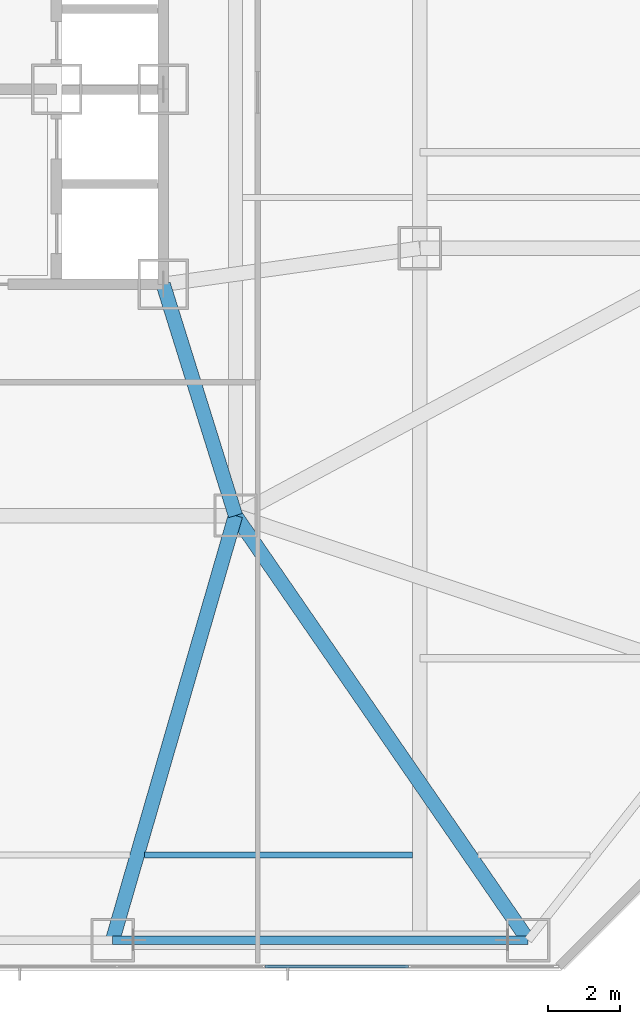
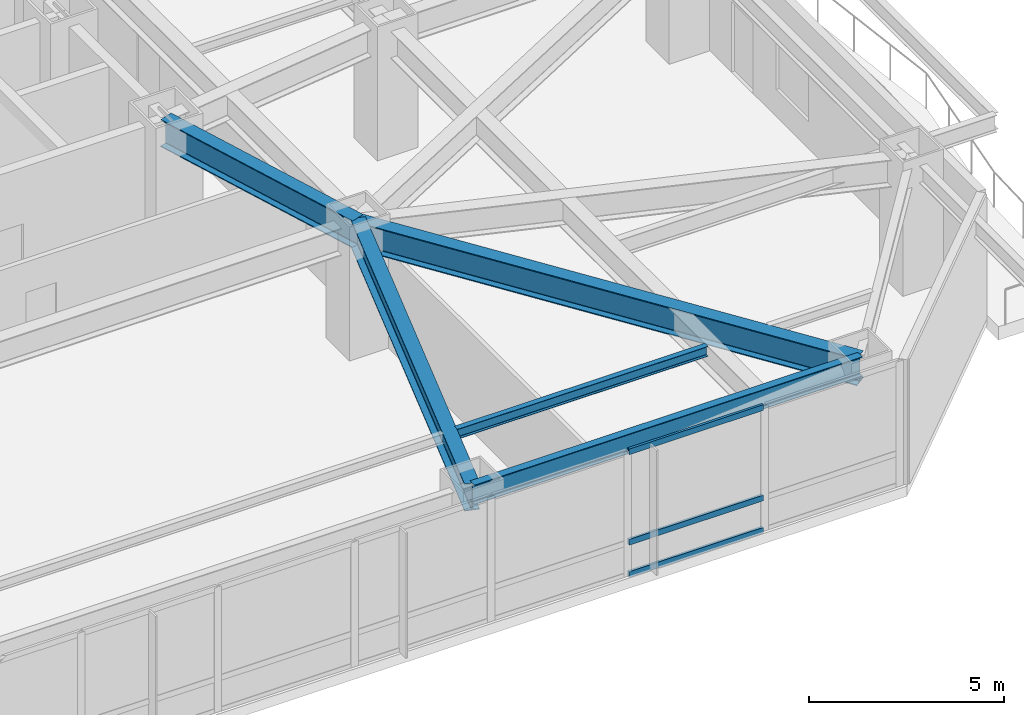
# One storey, part 7 of 32: 5 beams, 3 members, 1 element without a shape of its own.
"""IFC4 building model written with IfcOpenShell, lengths in metres."""

from ifc_helpers import new_model, si_unit, direction, frame, origin, origin_2d, place, context, subcontext, project, spatial, hollow_rectangle, i_section, extrude, material, material_profile, profile_set, type_object, element, aggregate, save


model = new_model("IFC4")

# Units and contexts
model_context = context("Model", 3, precision=1e-05, world=origin(), true_north=direction((0.0, 1.0)))
body_context = subcontext(model_context, "Body", "Model", "MODEL_VIEW")
ifc_project = project(units=[si_unit("LENGTHUNIT", "METRE"), si_unit("AREAUNIT", "SQUARE_METRE"), si_unit("VOLUMEUNIT", "CUBIC_METRE"), si_unit("PLANEANGLEUNIT", "RADIAN"), si_unit("MASSUNIT", "GRAM", prefix="KILO")], contexts=[model_context])

# Site, building, storey
site_placement = place(None, origin())
site = spatial("IfcSite", under=ifc_project, at=site_placement, CompositionType="ELEMENT")
building_placement = place(site_placement, origin())
building = spatial("IfcBuilding", under=site, at=building_placement, Name="Khamvora Tower", CompositionType="ELEMENT")
storey_placement = place(building_placement, frame((0.0, 0.0, 12.0)))
storey = spatial("IfcBuildingStorey", under=building, at=storey_placement, Name="L02", CompositionType="ELEMENT", Elevation=12.0)

# Beams
ifc_material_1 = material(Name="Steel S355", Category="steel")
ifc_material_profile_1 = material_profile(ifc_material_1, i_section(OverallWidth=0.166015625, OverallDepth=0.31298828125, WebThickness=0.007080078125, FlangeThickness=0.010986328125, FilletRadius=0.010009765625, at=origin_2d()), Name="W310x45")
ifc_profile_set_1 = profile_set([ifc_material_profile_1], Name="Steel S355")
beam_type_1 = type_object("IfcBeamType", Name="BM-JS-W310x45", PredefinedType="JOIST", material=ifc_profile_set_1)
beam_1_placement = place(storey_placement, frame((38.883056640625, 3.199951171875, 3.763916015625), z_axis=(1.0, 0.0, 0.0), x_axis=(0.0, 1.0, 0.0)))
element("IfcBeam", 1, at=beam_1_placement, inside=storey, type_object=beam_type_1, Name="L02 secondary floor joist 05", PredefinedType="JOIST", context=body_context, shape_type="SweptSolid", body=[
    extrude(i_section(OverallWidth=0.166015625, OverallDepth=0.31298828125, WebThickness=0.007080078125, FlangeThickness=0.010986328125, FilletRadius=0.010009765625, at=origin_2d()), origin(), (0.0, 0.0, 1.0), 7.421875),
])
ifc_material_profile_2 = material_profile(ifc_material_1, i_section(OverallWidth=0.39990234375, OverallDepth=0.85498046875, WebThickness=0.01806640625, FlangeThickness=0.029052734375, FilletRadius=0.01806640625, at=origin_2d()), Name="W840x299")
ifc_profile_set_2 = profile_set([ifc_material_profile_2], Name="Steel S355")
beam_type_2 = type_object("IfcBeamType", Name="BM-PG-W840x299", PredefinedType="BEAM", material=ifc_profile_set_2)
beam_2_placement = place(storey_placement, frame((41.39990234375, 12.60009765625, 3.491943359375), z_axis=(-0.277951455854, -0.960595121885, 0.0), x_axis=(0.960595121885, -0.277951455854, 0.0)))
element("IfcBeam", 2, at=beam_2_placement, inside=storey, type_object=beam_type_2, Name="L02 primary floor girder P03", PredefinedType="BEAM", context=body_context, shape_type="SweptSolid", body=[
    extrude(i_section(OverallWidth=0.39990234375, OverallDepth=0.85498046875, WebThickness=0.01806640625, FlangeThickness=0.029052734375, FilletRadius=0.01806640625, at=origin_2d()), origin(), (0.0, 0.0, 1.0), 12.23193359375),
])
beam_3_placement = place(storey_placement, frame((41.39990234375, 12.60009765625, 3.491943359375), z_axis=(0.567573841069, -0.823322497527, 0.0), x_axis=(0.823322497527, 0.567573841069, 0.0)))
element("IfcBeam", 3, at=beam_3_placement, inside=storey, type_object=beam_type_2, Name="L02 primary floor girder P04", PredefinedType="BEAM", context=body_context, shape_type="SweptSolid", body=[
    extrude(i_section(OverallWidth=0.39990234375, OverallDepth=0.85498046875, WebThickness=0.01806640625, FlangeThickness=0.029052734375, FilletRadius=0.01806640625, at=origin_2d()), origin(), (0.0, 0.0, 1.0), 14.271484375),
])
beam_4_placement = place(storey_placement, frame((39.39990234375, 19.0, 3.491943359375), z_axis=(0.298279139585, -0.95447868226, 0.0), x_axis=(0.95447868226, 0.298279139585, 0.0)))
element("IfcBeam", 4, at=beam_4_placement, inside=storey, type_object=beam_type_2, Name="L02 primary floor girder P18", PredefinedType="BEAM", context=body_context, shape_type="SweptSolid", body=[
    extrude(i_section(OverallWidth=0.39990234375, OverallDepth=0.85498046875, WebThickness=0.01806640625, FlangeThickness=0.029052734375, FilletRadius=0.01806640625, at=origin_2d()), origin(), (0.0, 0.0, 1.0), 6.705078125),
])
ifc_material_profile_3 = material_profile(ifc_material_1, i_section(OverallWidth=0.22998046875, OverallDepth=0.616943359375, WebThickness=0.012939453125, FlangeThickness=0.02197265625, FilletRadius=0.013916015625, at=origin_2d()), Name="W610x140")
ifc_profile_set_3 = profile_set([ifc_material_profile_3], Name="Steel S355")
beam_type_3 = type_object("IfcBeamType", Name="BM-SP-W610x140", PredefinedType="SPANDREL", material=ifc_profile_set_3)
beam_5_placement = place(storey_placement, frame((38.0, 0.85009765625, 3.611083984375), z_axis=(1.0, 0.0, 0.0), x_axis=(0.0, 1.0, 0.0)))
element("IfcBeam", 5, at=beam_5_placement, inside=storey, type_object=beam_type_3, Name="L02 perimeter spandrel beam P03-P04", PredefinedType="SPANDREL", context=body_context, shape_type="SweptSolid", body=[
    extrude(i_section(OverallWidth=0.22998046875, OverallDepth=0.616943359375, WebThickness=0.012939453125, FlangeThickness=0.02197265625, FilletRadius=0.013916015625, at=origin_2d()), origin(), (0.0, 0.0, 1.0), 11.5),
])

# Curtain wall, members
ifc_material_2 = material(Name="Anodised Aluminium 6063-T6", Category="aluminium")
curtain_wall_type = type_object("IfcCurtainWallType", Name="CW-SYS-01", PredefinedType="NOTDEFINED", material=ifc_material_2)
curtain_wall_placement = place(storey_placement, origin())
curtain_wall = element("IfcCurtainWall", 6, at=curtain_wall_placement, inside=storey, type_object=curtain_wall_type, Name="L02 stick curtain wall 14.1", PredefinedType="NOTDEFINED")
ifc_material_profile_4 = material_profile(ifc_material_2, hollow_rectangle(XDim=0.074951171875, YDim=0.179931640625, WallThickness=0.0048828125, at=origin_2d()), Name="TRN75x180x5")
ifc_profile_set_4 = profile_set([ifc_material_profile_4], Name="Anodised Aluminium 6063-T6")
member_type = type_object("IfcMemberType", Name="CW-SYS-01-TRN", PredefinedType="USERDEFINED", material=ifc_profile_set_4)
member_1_placement = place(storey_placement, frame((46.1875, 0.1201171875, 0.03759765625), z_axis=(-1.0, 0.0, 0.0), x_axis=(0.0, -1.0, 0.0)))
member_1 = element("IfcMember", 7, at=member_1_placement, type_object=member_type, Name="CW-01 transom 2.1", ObjectType="TRANSOM", PredefinedType="USERDEFINED", context=body_context, shape_type="SweptSolid", body=[
    extrude(hollow_rectangle(XDim=0.074951171875, YDim=0.179931640625, WallThickness=0.0048828125, at=origin_2d()), origin(), (0.0, 0.0, 1.0), 3.97509765625),
])
member_2_placement = place(storey_placement, frame((46.1875, 0.1201171875, 1.050048828125), z_axis=(-1.0, 0.0, 0.0), x_axis=(0.0, -1.0, 0.0)))
member_2 = element("IfcMember", 8, at=member_2_placement, type_object=member_type, Name="CW-01 transom 2.2", ObjectType="TRANSOM", PredefinedType="USERDEFINED", context=body_context, shape_type="SweptSolid", body=[
    extrude(hollow_rectangle(XDim=0.074951171875, YDim=0.179931640625, WallThickness=0.0048828125, at=origin_2d()), origin(), (0.0, 0.0, 1.0), 3.97509765625),
])
member_3_placement = place(storey_placement, frame((46.1875, 0.1201171875, 3.882568359375), z_axis=(-1.0, 0.0, 0.0), x_axis=(0.0, -1.0, 0.0)))
member_3 = element("IfcMember", 9, at=member_3_placement, type_object=member_type, Name="CW-01 transom 2.3", ObjectType="TRANSOM", PredefinedType="USERDEFINED", context=body_context, shape_type="SweptSolid", body=[
    extrude(hollow_rectangle(XDim=0.074951171875, YDim=0.179931640625, WallThickness=0.0048828125, at=origin_2d()), origin(), (0.0, 0.0, 1.0), 3.97509765625),
])
aggregate(curtain_wall, [member_1, member_2, member_3])

save(model, "model.ifc")
